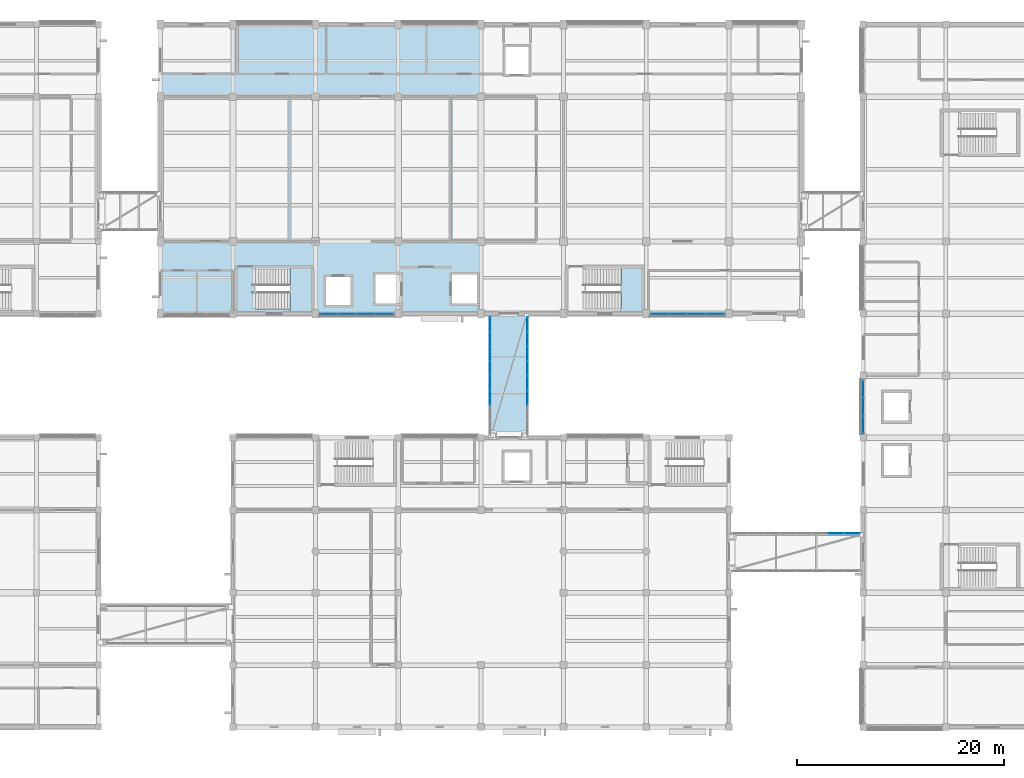
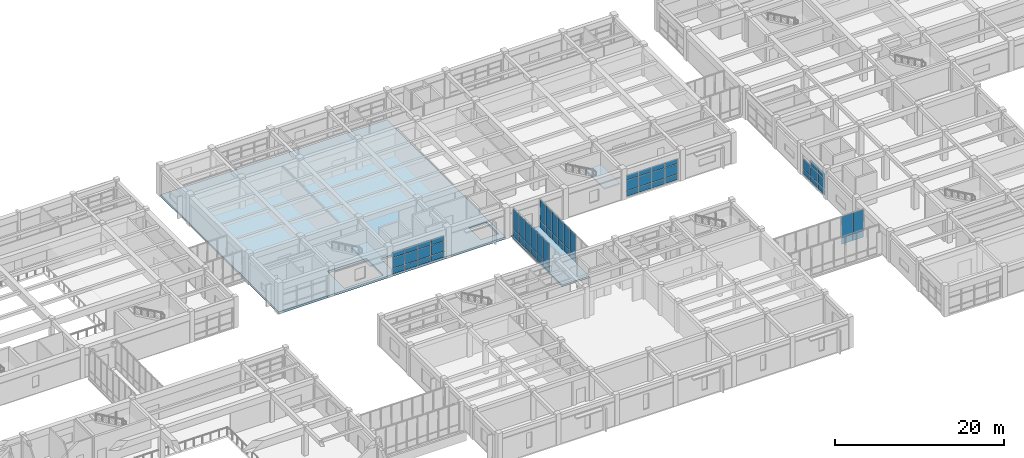
# One storey, part 41 of 72: 60 plates, 4 slabs, 8 elements without a shape of their own.
"""IFC4 building model written with IfcOpenShell, lengths in metres."""

from ifc_helpers import new_model, si_unit, direction, frame, origin, origin_2d, place, context, subcontext, project, spatial, polyline, rectangle, outline, extrude, material, layer, layer_set, type_object, element, aggregate, save


model = new_model("IFC4")

# Units and contexts
model_context = context("Model", 3, precision=1e-05, world=origin(), true_north=direction((0.0, 1.0)))
body_context = subcontext(model_context, "Body", "Model", "MODEL_VIEW")
ifc_project = project(units=[si_unit("LENGTHUNIT", "METRE"), si_unit("AREAUNIT", "SQUARE_METRE"), si_unit("VOLUMEUNIT", "CUBIC_METRE"), si_unit("PLANEANGLEUNIT", "RADIAN"), si_unit("MASSUNIT", "GRAM", prefix="KILO")], contexts=[model_context])

# Site, building, storey
site_placement = place(None, origin())
site = spatial("IfcSite", under=ifc_project, at=site_placement, CompositionType="ELEMENT")
building_placement = place(site_placement, origin())
building = spatial("IfcBuilding", under=site, at=building_placement, Name="Naurynzar Civic Courthouse", CompositionType="ELEMENT")
storey_placement = place(building_placement, frame((0.0, 0.0, 9.89990234375)))
storey = spatial("IfcBuildingStorey", under=building, at=storey_placement, Name="L03", CompositionType="ELEMENT", Elevation=9.89990234375)

# Curtain wall, plates
ifc_material_1 = material(Name="Aluminium 6063-T6", Category="aluminium")
ifc_layer_1 = layer(ifc_material_1, 0.14990234375)
ifc_layer_set_1 = layer_set([ifc_layer_1], Name="CW-BRIDGE-1500")
curtain_wall_type_1 = type_object("IfcCurtainWallType", Name="CW-BRIDGE-1500", PredefinedType="USERDEFINED", material=ifc_layer_set_1)
curtain_wall_1_placement = place(storey_placement, origin())
curtain_wall_1 = element("IfcCurtainWall", 1, at=curtain_wall_1_placement, inside=storey, type_object=curtain_wall_type_1, Name="BR-C1 glazed bridge screen L03.1", ObjectType="GLAZED BRIDGE SCREEN", PredefinedType="USERDEFINED")
ifc_material_2 = material(Name="Tempered Laminated Low-E Glass", Category="glass")
ifc_layer_2 = layer(ifc_material_2, 0.031982421875)
ifc_layer_set_2 = layer_set([ifc_layer_2], Name="CWP-IGU-32")
plate_type_1 = type_object("IfcPlateType", Name="CWP-IGU-32", PredefinedType="CURTAIN_PANEL", material=ifc_layer_set_2)
plate_1_placement = place(storey_placement, frame((93.8798828125, 42.972412109375, 0.06005859375), z_axis=(0.0, 0.0, 1.0), x_axis=(0.0, -1.0, 0.0)))
plate_1 = element("IfcPlate", 2, at=plate_1_placement, type_object=plate_type_1, Name="CW-03 panel 1.1", PredefinedType="CURTAIN_PANEL", context=body_context, shape_type="SweptSolid", body=[
    extrude(rectangle(XDim=1.3349609375, YDim=0.031982421875, at=origin_2d()), origin(), (0.0, 0.0, 1.0), 0.909912109375),
])
plate_2_placement = place(storey_placement, frame((93.8798828125, 42.972412109375, 1.0302734375), z_axis=(0.0, 0.0, 1.0), x_axis=(0.0, -1.0, 0.0)))
plate_2 = element("IfcPlate", 3, at=plate_2_placement, type_object=plate_type_1, Name="CW-03 panel 1.2", PredefinedType="CURTAIN_PANEL", context=body_context, shape_type="SweptSolid", body=[
    extrude(rectangle(XDim=1.3349609375, YDim=0.031982421875, at=origin_2d()), origin(), (0.0, 0.0, 1.0), 3.030029296875),
])
plate_3_placement = place(storey_placement, frame((93.8798828125, 41.5625, 0.06005859375), z_axis=(0.0, 0.0, 1.0), x_axis=(0.0, -1.0, 0.0)))
plate_3 = element("IfcPlate", 4, at=plate_3_placement, type_object=plate_type_1, Name="CW-03 panel 2.1", PredefinedType="CURTAIN_PANEL", context=body_context, shape_type="SweptSolid", body=[
    extrude(rectangle(XDim=1.364990234375, YDim=0.031982421875, at=origin_2d()), origin(), (0.0, 0.0, 1.0), 0.909912109375),
])
plate_4_placement = place(storey_placement, frame((93.8798828125, 41.5625, 1.0302734375), z_axis=(0.0, 0.0, 1.0), x_axis=(0.0, -1.0, 0.0)))
plate_4 = element("IfcPlate", 5, at=plate_4_placement, type_object=plate_type_1, Name="CW-03 panel 2.2", PredefinedType="CURTAIN_PANEL", context=body_context, shape_type="SweptSolid", body=[
    extrude(rectangle(XDim=1.364990234375, YDim=0.031982421875, at=origin_2d()), origin(), (0.0, 0.0, 1.0), 3.030029296875),
])
plate_5_placement = place(storey_placement, frame((93.8798828125, 40.137451171875, 0.06005859375), z_axis=(0.0, 0.0, 1.0), x_axis=(0.0, -1.0, 0.0)))
plate_5 = element("IfcPlate", 6, at=plate_5_placement, type_object=plate_type_1, Name="CW-03 panel 3.1", PredefinedType="CURTAIN_PANEL", context=body_context, shape_type="SweptSolid", body=[
    extrude(rectangle(XDim=1.364990234375, YDim=0.031982421875, at=origin_2d()), origin(), (0.0, 0.0, 1.0), 0.909912109375),
])
plate_6_placement = place(storey_placement, frame((93.8798828125, 40.137451171875, 1.0302734375), z_axis=(0.0, 0.0, 1.0), x_axis=(0.0, -1.0, 0.0)))
plate_6 = element("IfcPlate", 7, at=plate_6_placement, type_object=plate_type_1, Name="CW-03 panel 3.2", PredefinedType="CURTAIN_PANEL", context=body_context, shape_type="SweptSolid", body=[
    extrude(rectangle(XDim=1.364990234375, YDim=0.031982421875, at=origin_2d()), origin(), (0.0, 0.0, 1.0), 3.030029296875),
])
plate_7_placement = place(storey_placement, frame((93.8798828125, 38.71240234375, 0.06005859375), z_axis=(0.0, 0.0, 1.0), x_axis=(0.0, -1.0, 0.0)))
plate_7 = element("IfcPlate", 8, at=plate_7_placement, type_object=plate_type_1, Name="CW-03 panel 4.1", PredefinedType="CURTAIN_PANEL", context=body_context, shape_type="SweptSolid", body=[
    extrude(rectangle(XDim=1.364990234375, YDim=0.031982421875, at=origin_2d()), origin(), (0.0, 0.0, 1.0), 0.909912109375),
])
plate_8_placement = place(storey_placement, frame((93.8798828125, 38.71240234375, 1.0302734375), z_axis=(0.0, 0.0, 1.0), x_axis=(0.0, -1.0, 0.0)))
plate_8 = element("IfcPlate", 9, at=plate_8_placement, type_object=plate_type_1, Name="CW-03 panel 4.2", PredefinedType="CURTAIN_PANEL", context=body_context, shape_type="SweptSolid", body=[
    extrude(rectangle(XDim=1.364990234375, YDim=0.031982421875, at=origin_2d()), origin(), (0.0, 0.0, 1.0), 3.030029296875),
])
plate_9_placement = place(storey_placement, frame((93.8798828125, 37.28759765625, 0.06005859375), z_axis=(0.0, 0.0, 1.0), x_axis=(0.0, -1.0, 0.0)))
plate_9 = element("IfcPlate", 10, at=plate_9_placement, type_object=plate_type_1, Name="CW-03 panel 5.1", PredefinedType="CURTAIN_PANEL", context=body_context, shape_type="SweptSolid", body=[
    extrude(rectangle(XDim=1.364990234375, YDim=0.031982421875, at=origin_2d()), origin(), (0.0, 0.0, 1.0), 0.909912109375),
])
plate_10_placement = place(storey_placement, frame((93.8798828125, 37.28759765625, 1.0302734375), z_axis=(0.0, 0.0, 1.0), x_axis=(0.0, -1.0, 0.0)))
plate_10 = element("IfcPlate", 11, at=plate_10_placement, type_object=plate_type_1, Name="CW-03 panel 5.2", PredefinedType="CURTAIN_PANEL", context=body_context, shape_type="SweptSolid", body=[
    extrude(rectangle(XDim=1.364990234375, YDim=0.031982421875, at=origin_2d()), origin(), (0.0, 0.0, 1.0), 3.030029296875),
])
plate_11_placement = place(storey_placement, frame((93.8798828125, 35.862548828125, 0.06005859375), z_axis=(0.0, 0.0, 1.0), x_axis=(0.0, -1.0, 0.0)))
plate_11 = element("IfcPlate", 12, at=plate_11_placement, type_object=plate_type_1, Name="CW-03 panel 6.1", PredefinedType="CURTAIN_PANEL", context=body_context, shape_type="SweptSolid", body=[
    extrude(rectangle(XDim=1.364990234375, YDim=0.031982421875, at=origin_2d()), origin(), (0.0, 0.0, 1.0), 0.909912109375),
])
plate_12_placement = place(storey_placement, frame((93.8798828125, 35.862548828125, 1.0302734375), z_axis=(0.0, 0.0, 1.0), x_axis=(0.0, -1.0, 0.0)))
plate_12 = element("IfcPlate", 13, at=plate_12_placement, type_object=plate_type_1, Name="CW-03 panel 6.2", PredefinedType="CURTAIN_PANEL", context=body_context, shape_type="SweptSolid", body=[
    extrude(rectangle(XDim=1.364990234375, YDim=0.031982421875, at=origin_2d()), origin(), (0.0, 0.0, 1.0), 3.030029296875),
])
aggregate(curtain_wall_1, [plate_1, plate_2, plate_3, plate_4, plate_5, plate_6, plate_7, plate_8, plate_9, plate_10, plate_11, plate_12])

curtain_wall_2_placement = place(storey_placement, origin())
curtain_wall_2 = element("IfcCurtainWall", 14, at=curtain_wall_2_placement, inside=storey, type_object=curtain_wall_type_1, Name="BR-C1 glazed bridge screen L03.2", ObjectType="GLAZED BRIDGE SCREEN", PredefinedType="USERDEFINED")
plate_13_placement = place(storey_placement, frame((97.52001953125, 35.862548828125, 0.06005859375), z_axis=(0.0, 0.0, 1.0), x_axis=(0.0, 1.0, 0.0)))
plate_13 = element("IfcPlate", 15, at=plate_13_placement, type_object=plate_type_1, Name="CW-03 panel 3.1", PredefinedType="CURTAIN_PANEL", context=body_context, shape_type="SweptSolid", body=[
    extrude(rectangle(XDim=1.364990234375, YDim=0.031982421875, at=origin_2d()), origin(), (0.0, 0.0, 1.0), 0.909912109375),
])
plate_14_placement = place(storey_placement, frame((97.52001953125, 35.862548828125, 1.0302734375), z_axis=(0.0, 0.0, 1.0), x_axis=(0.0, 1.0, 0.0)))
plate_14 = element("IfcPlate", 16, at=plate_14_placement, type_object=plate_type_1, Name="CW-03 panel 3.2", PredefinedType="CURTAIN_PANEL", context=body_context, shape_type="SweptSolid", body=[
    extrude(rectangle(XDim=1.364990234375, YDim=0.031982421875, at=origin_2d()), origin(), (0.0, 0.0, 1.0), 3.030029296875),
])
plate_15_placement = place(storey_placement, frame((97.52001953125, 37.28759765625, 0.06005859375), z_axis=(0.0, 0.0, 1.0), x_axis=(0.0, 1.0, 0.0)))
plate_15 = element("IfcPlate", 17, at=plate_15_placement, type_object=plate_type_1, Name="CW-03 panel 4.1", PredefinedType="CURTAIN_PANEL", context=body_context, shape_type="SweptSolid", body=[
    extrude(rectangle(XDim=1.364990234375, YDim=0.031982421875, at=origin_2d()), origin(), (0.0, 0.0, 1.0), 0.909912109375),
])
plate_16_placement = place(storey_placement, frame((97.52001953125, 37.28759765625, 1.0302734375), z_axis=(0.0, 0.0, 1.0), x_axis=(0.0, 1.0, 0.0)))
plate_16 = element("IfcPlate", 18, at=plate_16_placement, type_object=plate_type_1, Name="CW-03 panel 4.2", PredefinedType="CURTAIN_PANEL", context=body_context, shape_type="SweptSolid", body=[
    extrude(rectangle(XDim=1.364990234375, YDim=0.031982421875, at=origin_2d()), origin(), (0.0, 0.0, 1.0), 3.030029296875),
])
plate_17_placement = place(storey_placement, frame((97.52001953125, 38.71240234375, 0.06005859375), z_axis=(0.0, 0.0, 1.0), x_axis=(0.0, 1.0, 0.0)))
plate_17 = element("IfcPlate", 19, at=plate_17_placement, type_object=plate_type_1, Name="CW-03 panel 5.1", PredefinedType="CURTAIN_PANEL", context=body_context, shape_type="SweptSolid", body=[
    extrude(rectangle(XDim=1.364990234375, YDim=0.031982421875, at=origin_2d()), origin(), (0.0, 0.0, 1.0), 0.909912109375),
])
plate_18_placement = place(storey_placement, frame((97.52001953125, 38.71240234375, 1.0302734375), z_axis=(0.0, 0.0, 1.0), x_axis=(0.0, 1.0, 0.0)))
plate_18 = element("IfcPlate", 20, at=plate_18_placement, type_object=plate_type_1, Name="CW-03 panel 5.2", PredefinedType="CURTAIN_PANEL", context=body_context, shape_type="SweptSolid", body=[
    extrude(rectangle(XDim=1.364990234375, YDim=0.031982421875, at=origin_2d()), origin(), (0.0, 0.0, 1.0), 3.030029296875),
])
plate_19_placement = place(storey_placement, frame((97.52001953125, 40.137451171875, 0.06005859375), z_axis=(0.0, 0.0, 1.0), x_axis=(0.0, 1.0, 0.0)))
plate_19 = element("IfcPlate", 21, at=plate_19_placement, type_object=plate_type_1, Name="CW-03 panel 6.1", PredefinedType="CURTAIN_PANEL", context=body_context, shape_type="SweptSolid", body=[
    extrude(rectangle(XDim=1.364990234375, YDim=0.031982421875, at=origin_2d()), origin(), (0.0, 0.0, 1.0), 0.909912109375),
])
plate_20_placement = place(storey_placement, frame((97.52001953125, 40.137451171875, 1.0302734375), z_axis=(0.0, 0.0, 1.0), x_axis=(0.0, 1.0, 0.0)))
plate_20 = element("IfcPlate", 22, at=plate_20_placement, type_object=plate_type_1, Name="CW-03 panel 6.2", PredefinedType="CURTAIN_PANEL", context=body_context, shape_type="SweptSolid", body=[
    extrude(rectangle(XDim=1.364990234375, YDim=0.031982421875, at=origin_2d()), origin(), (0.0, 0.0, 1.0), 3.030029296875),
])
plate_21_placement = place(storey_placement, frame((97.52001953125, 41.5625, 0.06005859375), z_axis=(0.0, 0.0, 1.0), x_axis=(0.0, 1.0, 0.0)))
plate_21 = element("IfcPlate", 23, at=plate_21_placement, type_object=plate_type_1, Name="CW-03 panel 7.1", PredefinedType="CURTAIN_PANEL", context=body_context, shape_type="SweptSolid", body=[
    extrude(rectangle(XDim=1.364990234375, YDim=0.031982421875, at=origin_2d()), origin(), (0.0, 0.0, 1.0), 0.909912109375),
])
plate_22_placement = place(storey_placement, frame((97.52001953125, 41.5625, 1.0302734375), z_axis=(0.0, 0.0, 1.0), x_axis=(0.0, 1.0, 0.0)))
plate_22 = element("IfcPlate", 24, at=plate_22_placement, type_object=plate_type_1, Name="CW-03 panel 7.2", PredefinedType="CURTAIN_PANEL", context=body_context, shape_type="SweptSolid", body=[
    extrude(rectangle(XDim=1.364990234375, YDim=0.031982421875, at=origin_2d()), origin(), (0.0, 0.0, 1.0), 3.030029296875),
])
plate_23_placement = place(storey_placement, frame((97.52001953125, 42.972412109375, 0.06005859375), z_axis=(0.0, 0.0, 1.0), x_axis=(0.0, 1.0, 0.0)))
plate_23 = element("IfcPlate", 25, at=plate_23_placement, type_object=plate_type_1, Name="CW-03 panel 8.1", PredefinedType="CURTAIN_PANEL", context=body_context, shape_type="SweptSolid", body=[
    extrude(rectangle(XDim=1.3349609375, YDim=0.031982421875, at=origin_2d()), origin(), (0.0, 0.0, 1.0), 0.909912109375),
])
plate_24_placement = place(storey_placement, frame((97.52001953125, 42.972412109375, 1.0302734375), z_axis=(0.0, 0.0, 1.0), x_axis=(0.0, 1.0, 0.0)))
plate_24 = element("IfcPlate", 26, at=plate_24_placement, type_object=plate_type_1, Name="CW-03 panel 8.2", PredefinedType="CURTAIN_PANEL", context=body_context, shape_type="SweptSolid", body=[
    extrude(rectangle(XDim=1.3349609375, YDim=0.031982421875, at=origin_2d()), origin(), (0.0, 0.0, 1.0), 3.030029296875),
])
aggregate(curtain_wall_2, [plate_13, plate_14, plate_15, plate_16, plate_17, plate_18, plate_19, plate_20, plate_21, plate_22, plate_23, plate_24])

curtain_wall_3_placement = place(storey_placement, origin())
curtain_wall_3 = element("IfcCurtainWall", 27, at=curtain_wall_3_placement, inside=storey, type_object=curtain_wall_type_1, Name="BR-E2 glazed bridge screen L03.2", ObjectType="GLAZED BRIDGE SCREEN", PredefinedType="USERDEFINED")
plate_25_placement = place(storey_placement, frame((128.909912109375, 22.719970703125, 0.06005859375), z_axis=(0.0, 0.0, 1.0), x_axis=(-1.0, 0.0, 0.0)))
plate_25 = element("IfcPlate", 28, at=plate_25_placement, type_object=plate_type_1, Name="CW-03 panel 1.1", PredefinedType="CURTAIN_PANEL", context=body_context, shape_type="SweptSolid", body=[
    extrude(rectangle(XDim=1.4599609375, YDim=0.031982421875, at=origin_2d()), origin(), (0.0, 0.0, 1.0), 0.909912109375),
])
plate_26_placement = place(storey_placement, frame((128.909912109375, 22.719970703125, 1.0302734375), z_axis=(0.0, 0.0, 1.0), x_axis=(-1.0, 0.0, 0.0)))
plate_26 = element("IfcPlate", 29, at=plate_26_placement, type_object=plate_type_1, Name="CW-03 panel 1.2", PredefinedType="CURTAIN_PANEL", context=body_context, shape_type="SweptSolid", body=[
    extrude(rectangle(XDim=1.4599609375, YDim=0.031982421875, at=origin_2d()), origin(), (0.0, 0.0, 1.0), 3.030029296875),
])
plate_27_placement = place(storey_placement, frame((127.375, 22.719970703125, 0.06005859375), z_axis=(0.0, 0.0, 1.0), x_axis=(-1.0, 0.0, 0.0)))
plate_27 = element("IfcPlate", 30, at=plate_27_placement, type_object=plate_type_1, Name="CW-03 panel 2.1", PredefinedType="CURTAIN_PANEL", context=body_context, shape_type="SweptSolid", body=[
    extrude(rectangle(XDim=1.489990234375, YDim=0.031982421875, at=origin_2d()), origin(), (0.0, 0.0, 1.0), 0.909912109375),
])
plate_28_placement = place(storey_placement, frame((127.375, 22.719970703125, 1.0302734375), z_axis=(0.0, 0.0, 1.0), x_axis=(-1.0, 0.0, 0.0)))
plate_28 = element("IfcPlate", 31, at=plate_28_placement, type_object=plate_type_1, Name="CW-03 panel 2.2", PredefinedType="CURTAIN_PANEL", context=body_context, shape_type="SweptSolid", body=[
    extrude(rectangle(XDim=1.489990234375, YDim=0.031982421875, at=origin_2d()), origin(), (0.0, 0.0, 1.0), 3.030029296875),
])
aggregate(curtain_wall_3, [plate_25, plate_26, plate_27, plate_28])

ifc_material_3 = material(Name="Aluminium 6063-T6", Category="aluminium")
ifc_layer_3 = layer(ifc_material_3, 0.159912109375)
ifc_layer_set_3 = layer_set([ifc_layer_3], Name="CW-UNIT-1800")
curtain_wall_type_2 = type_object("IfcCurtainWallType", Name="CW-UNIT-1800", PredefinedType="NOTDEFINED", material=ifc_layer_set_3)
curtain_wall_4_placement = place(storey_placement, origin())
curtain_wall_4 = element("IfcCurtainWall", 32, at=curtain_wall_4_placement, inside=storey, type_object=curtain_wall_type_2, Name="V2 unitised curtain wall 28 L03", PredefinedType="NOTDEFINED")
ifc_material_4 = material(Name="Tempered Laminated Low-E Glass", Category="glass")
ifc_layer_4 = layer(ifc_material_4, 0.035888671875)
ifc_layer_set_4 = layer_set([ifc_layer_4], Name="CWP-IGU-36")
plate_type_2 = type_object("IfcPlateType", Name="CWP-IGU-36", PredefinedType="CURTAIN_PANEL", material=ifc_layer_set_4)
plate_29_placement = place(storey_placement, frame((115.6826171875, 44.0, 0.070068359375), z_axis=(0.0, 0.0, 1.0), x_axis=(-1.0, 0.0, 0.0)))
plate_29 = element("IfcPlate", 33, at=plate_29_placement, type_object=plate_type_2, Name="CW-02 panel 1.1", PredefinedType="CURTAIN_PANEL", context=body_context, shape_type="SweptSolid", body=[
    extrude(rectangle(XDim=1.695068359375, YDim=0.035888671875, at=origin_2d()), origin(), (0.0, 0.0, 1.0), 0.7451171875),
])
plate_30_placement = place(storey_placement, frame((115.6826171875, 44.0, 0.885009765625), z_axis=(0.0, 0.0, 1.0), x_axis=(-1.0, 0.0, 0.0)))
plate_30 = element("IfcPlate", 34, at=plate_30_placement, type_object=plate_type_2, Name="CW-02 panel 1.2", PredefinedType="CURTAIN_PANEL", context=body_context, shape_type="SweptSolid", body=[
    extrude(rectangle(XDim=1.695068359375, YDim=0.035888671875, at=origin_2d()), origin(), (0.0, 0.0, 1.0), 1.4599609375),
])
plate_31_placement = place(storey_placement, frame((115.6826171875, 44.0, 2.4150390625), z_axis=(0.0, 0.0, 1.0), x_axis=(-1.0, 0.0, 0.0)))
plate_31 = element("IfcPlate", 35, at=plate_31_placement, type_object=plate_type_2, Name="CW-02 panel 1.3", PredefinedType="CURTAIN_PANEL", context=body_context, shape_type="SweptSolid", body=[
    extrude(rectangle(XDim=1.695068359375, YDim=0.035888671875, at=origin_2d()), origin(), (0.0, 0.0, 1.0), 0.7451171875),
])
plate_32_placement = place(storey_placement, frame((113.89990234375, 44.0, 0.070068359375), z_axis=(0.0, 0.0, 1.0), x_axis=(-1.0, 0.0, 0.0)))
plate_32 = element("IfcPlate", 36, at=plate_32_placement, type_object=plate_type_2, Name="CW-02 panel 2.1", PredefinedType="CURTAIN_PANEL", context=body_context, shape_type="SweptSolid", body=[
    extrude(rectangle(XDim=1.72998046875, YDim=0.035888671875, at=origin_2d()), origin(), (0.0, 0.0, 1.0), 0.7451171875),
])
plate_33_placement = place(storey_placement, frame((113.89990234375, 44.0, 0.885009765625), z_axis=(0.0, 0.0, 1.0), x_axis=(-1.0, 0.0, 0.0)))
plate_33 = element("IfcPlate", 37, at=plate_33_placement, type_object=plate_type_2, Name="CW-02 panel 2.2", PredefinedType="CURTAIN_PANEL", context=body_context, shape_type="SweptSolid", body=[
    extrude(rectangle(XDim=1.72998046875, YDim=0.035888671875, at=origin_2d()), origin(), (0.0, 0.0, 1.0), 1.4599609375),
])
plate_34_placement = place(storey_placement, frame((113.89990234375, 44.0, 2.4150390625), z_axis=(0.0, 0.0, 1.0), x_axis=(-1.0, 0.0, 0.0)))
plate_34 = element("IfcPlate", 38, at=plate_34_placement, type_object=plate_type_2, Name="CW-02 panel 2.3", PredefinedType="CURTAIN_PANEL", context=body_context, shape_type="SweptSolid", body=[
    extrude(rectangle(XDim=1.72998046875, YDim=0.035888671875, at=origin_2d()), origin(), (0.0, 0.0, 1.0), 0.7451171875),
])
plate_35_placement = place(storey_placement, frame((112.10009765625, 44.0, 0.070068359375), z_axis=(0.0, 0.0, 1.0), x_axis=(-1.0, 0.0, 0.0)))
plate_35 = element("IfcPlate", 39, at=plate_35_placement, type_object=plate_type_2, Name="CW-02 panel 3.1", PredefinedType="CURTAIN_PANEL", context=body_context, shape_type="SweptSolid", body=[
    extrude(rectangle(XDim=1.72998046875, YDim=0.035888671875, at=origin_2d()), origin(), (0.0, 0.0, 1.0), 0.7451171875),
])
plate_36_placement = place(storey_placement, frame((112.10009765625, 44.0, 0.885009765625), z_axis=(0.0, 0.0, 1.0), x_axis=(-1.0, 0.0, 0.0)))
plate_36 = element("IfcPlate", 40, at=plate_36_placement, type_object=plate_type_2, Name="CW-02 panel 3.2", PredefinedType="CURTAIN_PANEL", context=body_context, shape_type="SweptSolid", body=[
    extrude(rectangle(XDim=1.72998046875, YDim=0.035888671875, at=origin_2d()), origin(), (0.0, 0.0, 1.0), 1.4599609375),
])
plate_37_placement = place(storey_placement, frame((112.10009765625, 44.0, 2.4150390625), z_axis=(0.0, 0.0, 1.0), x_axis=(-1.0, 0.0, 0.0)))
plate_37 = element("IfcPlate", 41, at=plate_37_placement, type_object=plate_type_2, Name="CW-02 panel 3.3", PredefinedType="CURTAIN_PANEL", context=body_context, shape_type="SweptSolid", body=[
    extrude(rectangle(XDim=1.72998046875, YDim=0.035888671875, at=origin_2d()), origin(), (0.0, 0.0, 1.0), 0.7451171875),
])
plate_38_placement = place(storey_placement, frame((110.3173828125, 44.0, 0.070068359375), z_axis=(0.0, 0.0, 1.0), x_axis=(-1.0, 0.0, 0.0)))
plate_38 = element("IfcPlate", 42, at=plate_38_placement, type_object=plate_type_2, Name="CW-02 panel 4.1", PredefinedType="CURTAIN_PANEL", context=body_context, shape_type="SweptSolid", body=[
    extrude(rectangle(XDim=1.695068359375, YDim=0.035888671875, at=origin_2d()), origin(), (0.0, 0.0, 1.0), 0.7451171875),
])
plate_39_placement = place(storey_placement, frame((110.3173828125, 44.0, 0.885009765625), z_axis=(0.0, 0.0, 1.0), x_axis=(-1.0, 0.0, 0.0)))
plate_39 = element("IfcPlate", 43, at=plate_39_placement, type_object=plate_type_2, Name="CW-02 panel 4.2", PredefinedType="CURTAIN_PANEL", context=body_context, shape_type="SweptSolid", body=[
    extrude(rectangle(XDim=1.695068359375, YDim=0.035888671875, at=origin_2d()), origin(), (0.0, 0.0, 1.0), 1.4599609375),
])
plate_40_placement = place(storey_placement, frame((110.3173828125, 44.0, 2.4150390625), z_axis=(0.0, 0.0, 1.0), x_axis=(-1.0, 0.0, 0.0)))
plate_40 = element("IfcPlate", 44, at=plate_40_placement, type_object=plate_type_2, Name="CW-02 panel 4.3", PredefinedType="CURTAIN_PANEL", context=body_context, shape_type="SweptSolid", body=[
    extrude(rectangle(XDim=1.695068359375, YDim=0.035888671875, at=origin_2d()), origin(), (0.0, 0.0, 1.0), 0.7451171875),
])
aggregate(curtain_wall_4, [plate_29, plate_30, plate_31, plate_32, plate_33, plate_34, plate_35, plate_36, plate_37, plate_38, plate_39, plate_40])

curtain_wall_5_placement = place(storey_placement, origin())
curtain_wall_5 = element("IfcCurtainWall", 45, at=curtain_wall_5_placement, inside=storey, type_object=curtain_wall_type_2, Name="V2 unitised curtain wall 29 L03", PredefinedType="NOTDEFINED")
plate_41_placement = place(storey_placement, frame((83.6826171875, 44.0, 0.070068359375), z_axis=(0.0, 0.0, 1.0), x_axis=(-1.0, 0.0, 0.0)))
plate_41 = element("IfcPlate", 46, at=plate_41_placement, type_object=plate_type_2, Name="CW-02 panel 1.1", PredefinedType="CURTAIN_PANEL", context=body_context, shape_type="SweptSolid", body=[
    extrude(rectangle(XDim=1.695068359375, YDim=0.035888671875, at=origin_2d()), origin(), (0.0, 0.0, 1.0), 0.7451171875),
])
plate_42_placement = place(storey_placement, frame((83.6826171875, 44.0, 0.885009765625), z_axis=(0.0, 0.0, 1.0), x_axis=(-1.0, 0.0, 0.0)))
plate_42 = element("IfcPlate", 47, at=plate_42_placement, type_object=plate_type_2, Name="CW-02 panel 1.2", PredefinedType="CURTAIN_PANEL", context=body_context, shape_type="SweptSolid", body=[
    extrude(rectangle(XDim=1.695068359375, YDim=0.035888671875, at=origin_2d()), origin(), (0.0, 0.0, 1.0), 1.4599609375),
])
plate_43_placement = place(storey_placement, frame((83.6826171875, 44.0, 2.4150390625), z_axis=(0.0, 0.0, 1.0), x_axis=(-1.0, 0.0, 0.0)))
plate_43 = element("IfcPlate", 48, at=plate_43_placement, type_object=plate_type_2, Name="CW-02 panel 1.3", PredefinedType="CURTAIN_PANEL", context=body_context, shape_type="SweptSolid", body=[
    extrude(rectangle(XDim=1.695068359375, YDim=0.035888671875, at=origin_2d()), origin(), (0.0, 0.0, 1.0), 0.7451171875),
])
plate_44_placement = place(storey_placement, frame((81.89990234375, 44.0, 0.070068359375), z_axis=(0.0, 0.0, 1.0), x_axis=(-1.0, 0.0, 0.0)))
plate_44 = element("IfcPlate", 49, at=plate_44_placement, type_object=plate_type_2, Name="CW-02 panel 2.1", PredefinedType="CURTAIN_PANEL", context=body_context, shape_type="SweptSolid", body=[
    extrude(rectangle(XDim=1.72998046875, YDim=0.035888671875, at=origin_2d()), origin(), (0.0, 0.0, 1.0), 0.7451171875),
])
plate_45_placement = place(storey_placement, frame((81.89990234375, 44.0, 0.885009765625), z_axis=(0.0, 0.0, 1.0), x_axis=(-1.0, 0.0, 0.0)))
plate_45 = element("IfcPlate", 50, at=plate_45_placement, type_object=plate_type_2, Name="CW-02 panel 2.2", PredefinedType="CURTAIN_PANEL", context=body_context, shape_type="SweptSolid", body=[
    extrude(rectangle(XDim=1.72998046875, YDim=0.035888671875, at=origin_2d()), origin(), (0.0, 0.0, 1.0), 1.4599609375),
])
plate_46_placement = place(storey_placement, frame((81.89990234375, 44.0, 2.4150390625), z_axis=(0.0, 0.0, 1.0), x_axis=(-1.0, 0.0, 0.0)))
plate_46 = element("IfcPlate", 51, at=plate_46_placement, type_object=plate_type_2, Name="CW-02 panel 2.3", PredefinedType="CURTAIN_PANEL", context=body_context, shape_type="SweptSolid", body=[
    extrude(rectangle(XDim=1.72998046875, YDim=0.035888671875, at=origin_2d()), origin(), (0.0, 0.0, 1.0), 0.7451171875),
])
plate_47_placement = place(storey_placement, frame((80.10009765625, 44.0, 0.070068359375), z_axis=(0.0, 0.0, 1.0), x_axis=(-1.0, 0.0, 0.0)))
plate_47 = element("IfcPlate", 52, at=plate_47_placement, type_object=plate_type_2, Name="CW-02 panel 3.1", PredefinedType="CURTAIN_PANEL", context=body_context, shape_type="SweptSolid", body=[
    extrude(rectangle(XDim=1.72998046875, YDim=0.035888671875, at=origin_2d()), origin(), (0.0, 0.0, 1.0), 0.7451171875),
])
plate_48_placement = place(storey_placement, frame((80.10009765625, 44.0, 0.885009765625), z_axis=(0.0, 0.0, 1.0), x_axis=(-1.0, 0.0, 0.0)))
plate_48 = element("IfcPlate", 53, at=plate_48_placement, type_object=plate_type_2, Name="CW-02 panel 3.2", PredefinedType="CURTAIN_PANEL", context=body_context, shape_type="SweptSolid", body=[
    extrude(rectangle(XDim=1.72998046875, YDim=0.035888671875, at=origin_2d()), origin(), (0.0, 0.0, 1.0), 1.4599609375),
])
plate_49_placement = place(storey_placement, frame((80.10009765625, 44.0, 2.4150390625), z_axis=(0.0, 0.0, 1.0), x_axis=(-1.0, 0.0, 0.0)))
plate_49 = element("IfcPlate", 54, at=plate_49_placement, type_object=plate_type_2, Name="CW-02 panel 3.3", PredefinedType="CURTAIN_PANEL", context=body_context, shape_type="SweptSolid", body=[
    extrude(rectangle(XDim=1.72998046875, YDim=0.035888671875, at=origin_2d()), origin(), (0.0, 0.0, 1.0), 0.7451171875),
])
plate_50_placement = place(storey_placement, frame((78.3173828125, 44.0, 0.070068359375), z_axis=(0.0, 0.0, 1.0), x_axis=(-1.0, 0.0, 0.0)))
plate_50 = element("IfcPlate", 55, at=plate_50_placement, type_object=plate_type_2, Name="CW-02 panel 4.1", PredefinedType="CURTAIN_PANEL", context=body_context, shape_type="SweptSolid", body=[
    extrude(rectangle(XDim=1.695068359375, YDim=0.035888671875, at=origin_2d()), origin(), (0.0, 0.0, 1.0), 0.7451171875),
])
plate_51_placement = place(storey_placement, frame((78.3173828125, 44.0, 0.885009765625), z_axis=(0.0, 0.0, 1.0), x_axis=(-1.0, 0.0, 0.0)))
plate_51 = element("IfcPlate", 56, at=plate_51_placement, type_object=plate_type_2, Name="CW-02 panel 4.2", PredefinedType="CURTAIN_PANEL", context=body_context, shape_type="SweptSolid", body=[
    extrude(rectangle(XDim=1.695068359375, YDim=0.035888671875, at=origin_2d()), origin(), (0.0, 0.0, 1.0), 1.4599609375),
])
plate_52_placement = place(storey_placement, frame((78.3173828125, 44.0, 2.4150390625), z_axis=(0.0, 0.0, 1.0), x_axis=(-1.0, 0.0, 0.0)))
plate_52 = element("IfcPlate", 57, at=plate_52_placement, type_object=plate_type_2, Name="CW-02 panel 4.3", PredefinedType="CURTAIN_PANEL", context=body_context, shape_type="SweptSolid", body=[
    extrude(rectangle(XDim=1.695068359375, YDim=0.035888671875, at=origin_2d()), origin(), (0.0, 0.0, 1.0), 0.7451171875),
])
aggregate(curtain_wall_5, [plate_41, plate_42, plate_43, plate_44, plate_45, plate_46, plate_47, plate_48, plate_49, plate_50, plate_51, plate_52])

curtain_wall_6_placement = place(storey_placement, origin())
curtain_wall_6 = element("IfcCurtainWall", 58, at=curtain_wall_6_placement, inside=storey, type_object=curtain_wall_type_2, Name="V5 unitised curtain wall 91 L03", PredefinedType="NOTDEFINED")
plate_53_placement = place(storey_placement, frame((130.0, 33.27587890625, 0.070068359375), z_axis=(0.0, 0.0, 1.0), x_axis=(0.0, 1.0, 0.0)))
plate_53 = element("IfcPlate", 59, at=plate_53_placement, type_object=plate_type_2, Name="CW-02 panel 1.1", PredefinedType="CURTAIN_PANEL", context=body_context, shape_type="SweptSolid", body=[
    extrude(rectangle(XDim=1.63671875, YDim=0.035888671875, at=origin_2d()), origin(), (0.0, 0.0, 1.0), 0.7451171875),
])
plate_54_placement = place(storey_placement, frame((130.0, 33.27587890625, 0.885009765625), z_axis=(0.0, 0.0, 1.0), x_axis=(0.0, 1.0, 0.0)))
plate_54 = element("IfcPlate", 60, at=plate_54_placement, type_object=plate_type_2, Name="CW-02 panel 1.2", PredefinedType="CURTAIN_PANEL", context=body_context, shape_type="SweptSolid", body=[
    extrude(rectangle(XDim=1.63671875, YDim=0.035888671875, at=origin_2d()), origin(), (0.0, 0.0, 1.0), 1.4599609375),
])
plate_55_placement = place(storey_placement, frame((130.0, 33.27587890625, 2.4150390625), z_axis=(0.0, 0.0, 1.0), x_axis=(0.0, 1.0, 0.0)))
plate_55 = element("IfcPlate", 61, at=plate_55_placement, type_object=plate_type_2, Name="CW-02 panel 1.3", PredefinedType="CURTAIN_PANEL", context=body_context, shape_type="SweptSolid", body=[
    extrude(rectangle(XDim=1.63671875, YDim=0.035888671875, at=origin_2d()), origin(), (0.0, 0.0, 1.0), 0.7451171875),
])
plate_56_placement = place(storey_placement, frame((130.0, 35.0, 0.070068359375), z_axis=(0.0, 0.0, 1.0), x_axis=(0.0, 1.0, 0.0)))
plate_56 = element("IfcPlate", 62, at=plate_56_placement, type_object=plate_type_2, Name="CW-02 panel 2.1", PredefinedType="CURTAIN_PANEL", context=body_context, shape_type="SweptSolid", body=[
    extrude(rectangle(XDim=1.671630859375, YDim=0.035888671875, at=origin_2d()), origin(), (0.0, 0.0, 1.0), 0.7451171875),
])
plate_57_placement = place(storey_placement, frame((130.0, 35.0, 0.885009765625), z_axis=(0.0, 0.0, 1.0), x_axis=(0.0, 1.0, 0.0)))
plate_57 = element("IfcPlate", 63, at=plate_57_placement, type_object=plate_type_2, Name="CW-02 panel 2.2", PredefinedType="CURTAIN_PANEL", context=body_context, shape_type="SweptSolid", body=[
    extrude(rectangle(XDim=1.671630859375, YDim=0.035888671875, at=origin_2d()), origin(), (0.0, 0.0, 1.0), 1.4599609375),
])
plate_58_placement = place(storey_placement, frame((130.0, 35.0, 2.4150390625), z_axis=(0.0, 0.0, 1.0), x_axis=(0.0, 1.0, 0.0)))
plate_58 = element("IfcPlate", 64, at=plate_58_placement, type_object=plate_type_2, Name="CW-02 panel 2.3", PredefinedType="CURTAIN_PANEL", context=body_context, shape_type="SweptSolid", body=[
    extrude(rectangle(XDim=1.671630859375, YDim=0.035888671875, at=origin_2d()), origin(), (0.0, 0.0, 1.0), 0.7451171875),
])
plate_59_placement = place(storey_placement, frame((130.0, 36.72412109375, 0.070068359375), z_axis=(0.0, 0.0, 1.0), x_axis=(0.0, 1.0, 0.0)))
plate_59 = element("IfcPlate", 65, at=plate_59_placement, type_object=plate_type_2, Name="CW-02 panel 3.1", PredefinedType="CURTAIN_PANEL", context=body_context, shape_type="SweptSolid", body=[
    extrude(rectangle(XDim=1.63671875, YDim=0.035888671875, at=origin_2d()), origin(), (0.0, 0.0, 1.0), 0.7451171875),
])
plate_60_placement = place(storey_placement, frame((130.0, 36.72412109375, 0.885009765625), z_axis=(0.0, 0.0, 1.0), x_axis=(0.0, 1.0, 0.0)))
plate_60 = element("IfcPlate", 66, at=plate_60_placement, type_object=plate_type_2, Name="CW-02 panel 3.2", PredefinedType="CURTAIN_PANEL", context=body_context, shape_type="SweptSolid", body=[
    extrude(rectangle(XDim=1.63671875, YDim=0.035888671875, at=origin_2d()), origin(), (0.0, 0.0, 1.0), 1.4599609375),
])
aggregate(curtain_wall_6, [plate_53, plate_54, plate_55, plate_56, plate_57, plate_58, plate_59, plate_60])

# Slab
ifc_material_5 = material(Name="Concrete C35/45", Category="concrete")
ifc_layer_5 = layer(ifc_material_5, 0.239990234375)
ifc_layer_set_5 = layer_set([ifc_layer_5], Name="SLB-BRG-240")
slab_type_1 = type_object("IfcSlabType", Name="SLB-BRG-240", PredefinedType="FLOOR", material=ifc_layer_set_5)
slab_1_placement = place(storey_placement, frame((0.0, 0.0, -0.239990234375)))
element("IfcSlab", 67, at=slab_1_placement, inside=storey, type_object=slab_type_1, Name="Central Library Seismic Link Passage deck slab L03", PredefinedType="FLOOR", context=body_context, shape_type="SweptSolid", body=[
    extrude(outline(polyline([(93.820068359375, 32.02001953125), (97.580078125, 32.02001953125), (97.580078125, 43.97998046875), (93.820068359375, 43.97998046875), (93.820068359375, 32.02001953125)])), origin(), (0.0, 0.0, 1.0), 0.239990234375),
])

# Stair, slab
ifc_material_6 = material(Name="Concrete C35/45", Category="concrete")
stair_type = type_object("IfcStairType", Name="STAIR-CORE-1600", PredefinedType="TWO_STRAIGHT_RUN_STAIR", material=ifc_material_6)
stair_1_placement = place(storey_placement, origin())
stair_1 = element("IfcStair", 68, at=stair_1_placement, inside=storey, type_object=stair_type, Name="Enclosed escape stair ST-V2A L03", PredefinedType="TWO_STRAIGHT_RUN_STAIR")
ifc_material_7 = material(Name="Concrete C35/45", Category="concrete")
ifc_layer_6 = layer(ifc_material_7, 0.199951171875)
ifc_layer_set_6 = layer_set([ifc_layer_6], Name="SLB-LAND-200")
slab_type_2 = type_object("IfcSlabType", Name="SLB-LAND-200", PredefinedType="LANDING", material=ifc_layer_set_6)
slab_2_placement = place(storey_placement, frame((0.0, 0.0, 2.050048828125)))
slab_2 = element("IfcSlab", 69, at=slab_2_placement, type_object=slab_type_2, Name="ST-V2A-L03 landing 1", PredefinedType="LANDING", context=body_context, shape_type="SweptSolid", body=[
    extrude(outline(polyline([(74.5400390625, 44.080078125), (76.669921875, 44.080078125), (76.669921875, 48.52001953125), (74.5400390625, 48.52001953125), (74.5400390625, 44.080078125)])), origin(), (0.0, 0.0, 1.0), 0.199951171875),
])
aggregate(stair_1, [slab_2])

stair_2_placement = place(storey_placement, origin())
stair_2 = element("IfcStair", 70, at=stair_2_placement, inside=storey, type_object=stair_type, Name="Enclosed escape stair ST-V2B L03", PredefinedType="TWO_STRAIGHT_RUN_STAIR")
slab_3_placement = place(storey_placement, frame((0.0, 0.0, 2.050048828125)))
slab_3 = element("IfcSlab", 71, at=slab_3_placement, type_object=slab_type_2, Name="ST-V2B-L03 landing 1", PredefinedType="LANDING", context=body_context, shape_type="SweptSolid", body=[
    extrude(outline(polyline([(106.5400390625, 44.080078125), (108.669921875, 44.080078125), (108.669921875, 48.52001953125), (106.5400390625, 48.52001953125), (106.5400390625, 44.080078125)])), origin(), (0.0, 0.0, 1.0), 0.199951171875),
])
aggregate(stair_2, [slab_3])

# Slab
ifc_material_8 = material(Name="Concrete C35/45", Category="concrete")
ifc_layer_7 = layer(ifc_material_8, 0.300048828125)
ifc_layer_set_7 = layer_set([ifc_layer_7], Name="SLB-PT-300")
slab_type_3 = type_object("IfcSlabType", Name="SLB-PT-300", PredefinedType="FLOOR", material=ifc_layer_set_7)
slab_4_placement = place(storey_placement, frame((0.0, 0.0, -0.2998046875)))
element("IfcSlab", 72, at=slab_4_placement, inside=storey, type_object=slab_type_3, Name="V2 floor slab L03 W", PredefinedType="FLOOR", context=body_context, shape_type="SweptSolid", body=[
    extrude(outline(polyline([(93.0, 44.0), (93.0, 72.0), (62.0, 72.0), (62.0, 44.0), (93.0, 44.0)]), holes=[polyline([(71.179931640625, 44.39990234375), (76.550048828125, 44.39990234375), (76.550048828125, 48.39990234375), (71.179931640625, 48.39990234375), (71.179931640625, 44.39990234375)]), polyline([(78.0, 44.85009765625), (80.39990234375, 44.85009765625), (80.39990234375, 47.550048828125), (78.0, 47.550048828125), (78.0, 44.85009765625)]), polyline([(82.800048828125, 45.0), (85.199951171875, 45.0), (85.199951171875, 47.800048828125), (82.800048828125, 47.800048828125), (82.800048828125, 45.0)]), polyline([(90.199951171875, 45.0), (92.60009765625, 45.0), (92.60009765625, 47.800048828125), (90.199951171875, 47.800048828125), (90.199951171875, 45.0)])]), origin(), (0.0, 0.0, 1.0), 0.2998046875),
])

save(model, "model.ifc")
